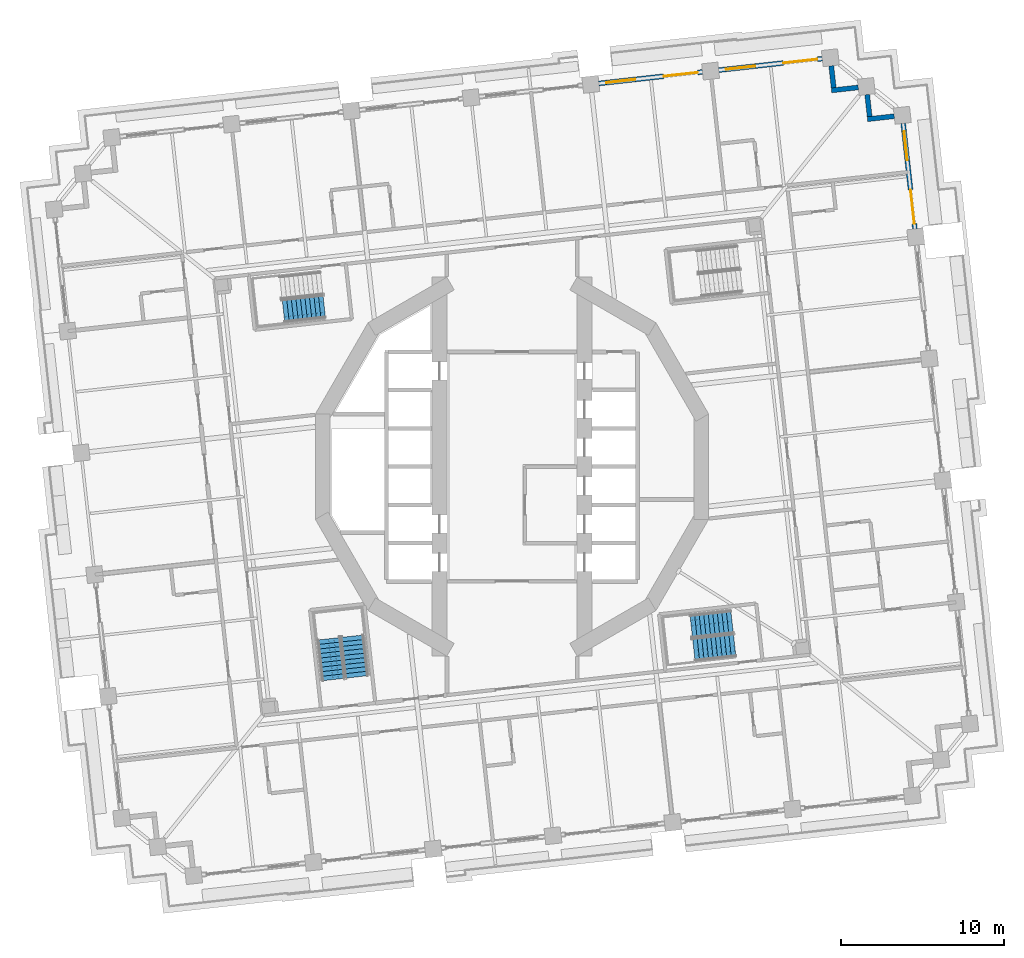
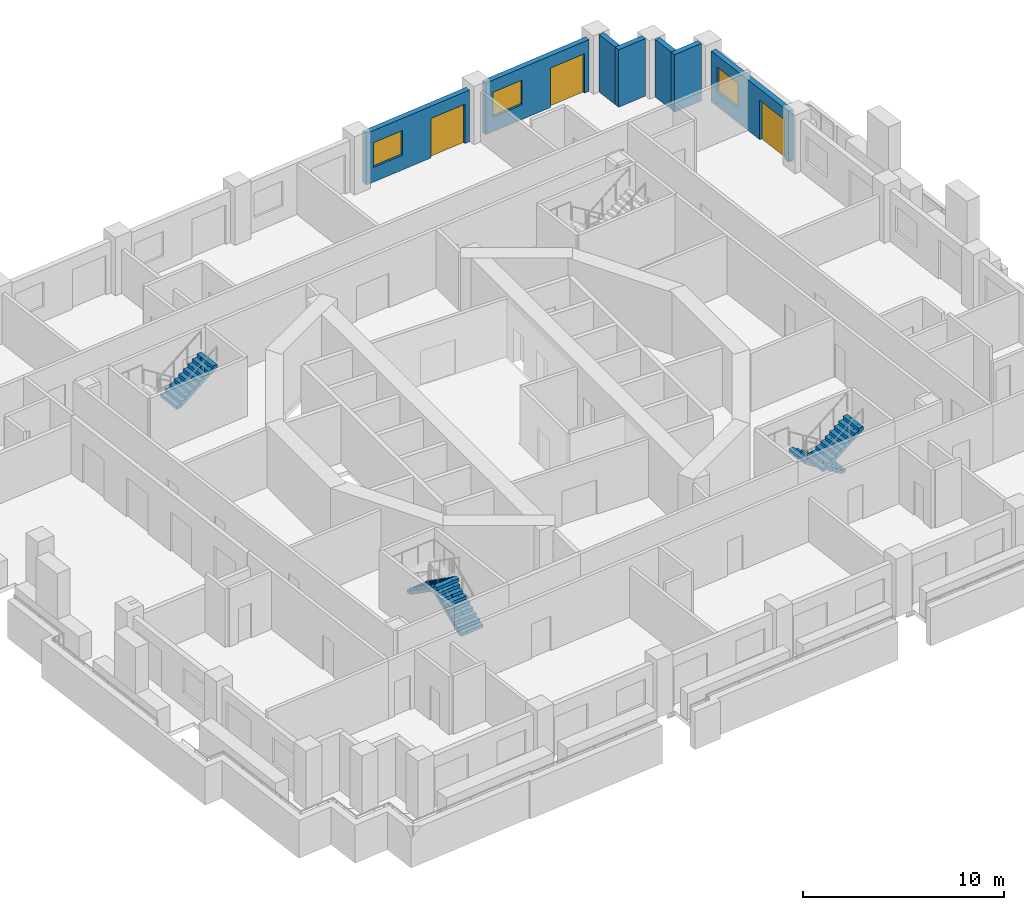
# One storey, part 10 of 19: 7 walls, 5 stair flights, 3 doors, 3 windows, 6 openings, 3 elements without a shape of their own.
"""IFC4 building model written with IfcOpenShell, lengths in metres."""

from ifc_helpers import new_model, si_unit, direction, frame, frame_2d, origin, place, context, subcontext, project, spatial, polyline, rectangle, outline, extrude, material, layer, layer_set, type_object, element, fill, aggregate, save


model = new_model("IFC4")

# Units and contexts
model_context = context("Model", 3, precision=1e-05, world=origin(), true_north=direction((0.0, 1.0)))
body_context = subcontext(model_context, "Body", "Model", "MODEL_VIEW")
ifc_project = project(units=[si_unit("LENGTHUNIT", "METRE"), si_unit("AREAUNIT", "SQUARE_METRE"), si_unit("VOLUMEUNIT", "CUBIC_METRE"), si_unit("PLANEANGLEUNIT", "RADIAN"), si_unit("MASSUNIT", "GRAM", prefix="KILO")], contexts=[model_context])

# Site, building, storey
site_placement = place(None, origin())
site = spatial("IfcSite", under=ifc_project, at=site_placement, CompositionType="ELEMENT")
building_placement = place(site_placement, origin())
building = spatial("IfcBuilding", under=site, at=building_placement, Name="Cantera Rosa Tower", CompositionType="ELEMENT")
storey_placement = place(building_placement, frame((0.0, 0.0, 65.300048828125)))
storey = spatial("IfcBuildingStorey", under=building, at=storey_placement, Name="L13", CompositionType="ELEMENT", Elevation=65.300048828125)

# Walls
ifc_material_1 = material(Name="Hollow clay masonry with cantera stone cladding", Category="masonry")
ifc_layer_1 = layer(ifc_material_1, 0.300048828125)
ifc_layer_set_1 = layer_set([ifc_layer_1], Name="EW-LOGGIA 300")
wall_type_1 = type_object("IfcWallType", Name="EW-LOGGIA 300", PredefinedType="SOLIDWALL", material=ifc_layer_set_1)
wall_1_placement = place(storey_placement, frame((23.46923828125, 21.520263671875, 0.0), z_axis=(0.0, 0.0, 1.0), x_axis=(-0.993905369514, -0.110236638423, 0.0)))
element("IfcWall", 1, at=wall_1_placement, inside=storey, type_object=wall_type_1, Name="EN-L13-W06a", PredefinedType="SOLIDWALL", context=body_context, shape_type="SweptSolid", body=[
    extrude(rectangle(XDim=1.64990234375, YDim=0.300048828125, at=frame_2d((0.824951171875, 0.0))), origin(), (0.0, 0.0, 1.0), 3.5),
])
wall_2_placement = place(storey_placement, frame((21.9619140625, 21.50390625, 0.0), z_axis=(0.0, 0.0, 1.0), x_axis=(-0.110312435488, 0.993896959738, 0.0)))
element("IfcWall", 2, at=wall_2_placement, inside=storey, type_object=wall_type_1, Name="EN-L13-W06b", PredefinedType="SOLIDWALL", context=body_context, shape_type="SweptSolid", body=[
    extrude(rectangle(XDim=1.35009765625, YDim=0.300048828125, at=frame_2d((0.675048828125, 0.0))), origin(), (0.0, 0.0, 1.0), 3.5),
])
wall_3_placement = place(storey_placement, frame((21.2607421875, 23.287353515625, 0.0), z_axis=(0.0, 0.0, 1.0), x_axis=(-0.993905369514, -0.110236638423, 0.0)))
element("IfcWall", 3, at=wall_3_placement, inside=storey, type_object=wall_type_1, Name="EN-L13-W07a", PredefinedType="SOLIDWALL", context=body_context, shape_type="SweptSolid", body=[
    extrude(rectangle(XDim=1.64990234375, YDim=0.300048828125, at=frame_2d((0.824951171875, 0.0))), origin(), (0.0, 0.0, 1.0), 3.5),
])
wall_4_placement = place(storey_placement, frame((19.75341796875, 23.27099609375, 0.0), z_axis=(0.0, 0.0, 1.0), x_axis=(-0.110312435488, 0.993896959738, 0.0)))
element("IfcWall", 4, at=wall_4_placement, inside=storey, type_object=wall_type_1, Name="EN-L13-W07b", PredefinedType="SOLIDWALL", context=body_context, shape_type="SweptSolid", body=[
    extrude(rectangle(XDim=1.35009765625, YDim=0.300048828125, at=frame_2d((0.675048828125, 0.0))), origin(), (0.0, 0.0, 1.0), 3.5),
])

# Wall, openings, window, door
ifc_material_2 = material(Name="Hollow clay masonry with cantera stone cladding", Category="masonry")
ifc_layer_2 = layer(ifc_material_2, 0.300048828125)
ifc_layer_set_2 = layer_set([ifc_layer_2], Name="EW-LOGGIA 300 H3090")
wall_type_2 = type_object("IfcWallType", Name="EW-LOGGIA 300 H3090", PredefinedType="SOLIDWALL", material=ifc_layer_set_2)
wall_5_placement = place(storey_placement, frame((24.74072265625, 14.598388671875, 0.0), z_axis=(0.0, 0.0, 1.0), x_axis=(-0.110312341265, 0.993896970196, 0.0)))
wall_5 = element("IfcWall", 5, at=wall_5_placement, inside=storey, type_object=wall_type_2, Name="EN-L13-W05", PredefinedType="SOLIDWALL", context=body_context, shape_type="SweptSolid", body=[
    extrude(rectangle(XDim=6.52001953125, YDim=0.300048828125, at=frame_2d((3.260009765625, 0.0))), origin(), (0.0, 0.0, 1.0), 3.08984375),
])
opening_1_placement = place(wall_5_placement, frame((0.330078125, 0.0, 0.0)))
opening_1 = element("IfcOpeningElement", 6, at=opening_1_placement, cuts=wall_5, Name="Opening L13-TD09", PredefinedType="OPENING", context=body_context, shape_type="SweptSolid", body=[
    extrude(rectangle(XDim=2.10009765625, YDim=2.39990234375, at=frame_2d((1.050048828125, 1.199951171875))), frame((0.0, 0.159912109375, 0.0), z_axis=(0.0, -1.0, 0.0), x_axis=(1.0, 0.0, 0.0)), (0.0, 0.0, 1.0), 0.320068359375),
])
opening_2_placement = place(wall_5_placement, frame((4.239990234375, 0.0, 0.89990234375)))
opening_2 = element("IfcOpeningElement", 7, at=opening_2_placement, cuts=wall_5, Name="Opening L13-W10", PredefinedType="OPENING", context=body_context, shape_type="SweptSolid", body=[
    extrude(rectangle(XDim=1.800048828125, YDim=1.5, at=frame_2d((0.89990234375, 0.75))), frame((0.0, 0.159912109375, 0.0), z_axis=(0.0, -1.0, 0.0), x_axis=(1.0, 0.0, 0.0)), (0.0, 0.0, 1.0), 0.320068359375),
])
ifc_material_3 = material(Name="Aluminium frame with clear glass", Category="aluminium")
window_type = type_object("IfcWindowType", Name="Hotel room window 1800x1500", PartitioningType="DOUBLE_PANEL_VERTICAL", PredefinedType="WINDOW", material=ifc_material_3)
window_1_placement = place(opening_2_placement, origin())
window_1 = element("IfcWindow", 8, at=window_1_placement, inside=storey, type_object=window_type, Name="WINDOW L13-W10", OverallHeight=1.5, OverallWidth=1.800048828125, PartitioningType="SINGLE_PANEL", PredefinedType="WINDOW", context=body_context, shape_type="SweptSolid", body=[
    extrude(rectangle(XDim=1.800048828125, YDim=1.5, at=frame_2d((0.89990234375, 0.75))), frame((0.0, 0.030029296875, 0.0), z_axis=(0.0, -1.0, 0.0), x_axis=(1.0, 0.0, 0.0)), (0.0, 0.0, 1.0), 0.06005859375),
])
fill(opening_2, window_1)
ifc_material_4 = material(Name="Aluminium frame with clear glass", Category="aluminium")
door_type = type_object("IfcDoorType", Name="TD-H 2100x2400", OperationType="NOTDEFINED", PredefinedType="DOOR", material=ifc_material_4)
door_1_placement = place(opening_1_placement, origin())
door_1 = element("IfcDoor", 9, at=door_1_placement, inside=storey, type_object=door_type, Name="LOGGIA DOOR L13-TD09", OperationType="SLIDING_TO_LEFT", OverallHeight=2.39990234375, OverallWidth=2.10009765625, PredefinedType="DOOR", context=body_context, shape_type="SweptSolid", body=[
    extrude(rectangle(XDim=2.10009765625, YDim=2.39990234375, at=frame_2d((1.050048828125, 1.199951171875))), frame((0.0, 0.02490234375, 0.0), z_axis=(0.0, -1.0, 0.0), x_axis=(1.0, 0.0, 0.0)), (0.0, 0.0, 1.0), 0.050048828125),
])
fill(opening_1, door_1)

ifc_material_5 = material(Name="Hollow clay masonry with cantera stone cladding", Category="masonry")
ifc_layer_3 = layer(ifc_material_5, 0.300048828125)
ifc_layer_set_3 = layer_set([ifc_layer_3], Name="EW-LOGGIA 300 H3140")
wall_type_3 = type_object("IfcWallType", Name="EW-LOGGIA 300 H3140", PredefinedType="SOLIDWALL", material=ifc_layer_set_3)
wall_6_placement = place(storey_placement, frame((19.052490234375, 25.0546875, 0.0), z_axis=(0.0, 0.0, 1.0), x_axis=(-0.993896288542, -0.110318482689, 0.0)))
wall_6 = element("IfcWall", 10, at=wall_6_placement, inside=storey, type_object=wall_type_3, Name="EN-L13-W08", PredefinedType="SOLIDWALL", context=body_context, shape_type="SweptSolid", body=[
    extrude(rectangle(XDim=6.400146484375, YDim=0.300048828125, at=frame_2d((3.2001953125, 0.0))), origin(), (0.0, 0.0, 1.0), 3.139892578125),
])
opening_3_placement = place(wall_6_placement, frame((0.300048828125, 0.0, 0.0)))
opening_3 = element("IfcOpeningElement", 11, at=opening_3_placement, cuts=wall_6, Name="Opening L13-TD11", PredefinedType="OPENING", context=body_context, shape_type="SweptSolid", body=[
    extrude(rectangle(XDim=2.10009765625, YDim=2.39990234375, at=frame_2d((1.050048828125, 1.199951171875))), frame((0.0, 0.159912109375, 0.0), z_axis=(0.0, -1.0, 0.0), x_axis=(1.0, 0.0, 0.0)), (0.0, 0.0, 1.0), 0.320068359375),
])
opening_4_placement = place(wall_6_placement, frame((4.14990234375, 0.0, 0.89990234375)))
opening_4 = element("IfcOpeningElement", 12, at=opening_4_placement, cuts=wall_6, Name="Opening L13-W12", PredefinedType="OPENING", context=body_context, shape_type="SweptSolid", body=[
    extrude(rectangle(XDim=1.800048828125, YDim=1.5, at=frame_2d((0.89990234375, 0.75))), frame((0.0, 0.159912109375, 0.0), z_axis=(0.0, -1.0, 0.0), x_axis=(1.0, 0.0, 0.0)), (0.0, 0.0, 1.0), 0.320068359375),
])
window_2_placement = place(opening_4_placement, origin())
window_2 = element("IfcWindow", 13, at=window_2_placement, inside=storey, type_object=window_type, Name="WINDOW L13-W12", OverallHeight=1.5, OverallWidth=1.800048828125, PartitioningType="SINGLE_PANEL", PredefinedType="WINDOW", context=body_context, shape_type="SweptSolid", body=[
    extrude(rectangle(XDim=1.800048828125, YDim=1.5, at=frame_2d((0.89990234375, 0.75))), frame((0.0, 0.030029296875, 0.0), z_axis=(0.0, -1.0, 0.0), x_axis=(1.0, 0.0, 0.0)), (0.0, 0.0, 1.0), 0.06005859375),
])
fill(opening_4, window_2)
door_2_placement = place(opening_3_placement, origin())
door_2 = element("IfcDoor", 14, at=door_2_placement, inside=storey, type_object=door_type, Name="LOGGIA DOOR L13-TD11", OperationType="SLIDING_TO_LEFT", OverallHeight=2.39990234375, OverallWidth=2.10009765625, PredefinedType="DOOR", context=body_context, shape_type="SweptSolid", body=[
    extrude(rectangle(XDim=2.10009765625, YDim=2.39990234375, at=frame_2d((1.050048828125, 1.199951171875))), frame((0.0, 0.02490234375, 0.0), z_axis=(0.0, -1.0, 0.0), x_axis=(1.0, 0.0, 0.0)), (0.0, 0.0, 1.0), 0.050048828125),
])
fill(opening_3, door_2)

wall_7_placement = place(storey_placement, frame((11.697509765625, 24.23828125, 0.0), z_axis=(0.0, 0.0, 1.0), x_axis=(-0.993895824271, -0.110322665379, 0.0)))
wall_7 = element("IfcWall", 15, at=wall_7_placement, inside=storey, type_object=wall_type_3, Name="EN-L13-W09", PredefinedType="SOLIDWALL", context=body_context, shape_type="SweptSolid", body=[
    extrude(rectangle(XDim=6.39990234375, YDim=0.300048828125, at=frame_2d((3.199951171875, 0.0))), origin(), (0.0, 0.0, 1.0), 3.139892578125),
])
opening_5_placement = place(wall_7_placement, frame((0.300048828125, 0.0, 0.0)))
opening_5 = element("IfcOpeningElement", 16, at=opening_5_placement, cuts=wall_7, Name="Opening L13-TD13", PredefinedType="OPENING", context=body_context, shape_type="SweptSolid", body=[
    extrude(rectangle(XDim=2.10009765625, YDim=2.39990234375, at=frame_2d((1.050048828125, 1.199951171875))), frame((0.0, 0.159912109375, 0.0), z_axis=(0.0, -1.0, 0.0), x_axis=(1.0, 0.0, 0.0)), (0.0, 0.0, 1.0), 0.320068359375),
])
opening_6_placement = place(wall_7_placement, frame((4.14990234375, 0.0, 0.89990234375)))
opening_6 = element("IfcOpeningElement", 17, at=opening_6_placement, cuts=wall_7, Name="Opening L13-W14", PredefinedType="OPENING", context=body_context, shape_type="SweptSolid", body=[
    extrude(rectangle(XDim=1.800048828125, YDim=1.5, at=frame_2d((0.89990234375, 0.75))), frame((0.0, 0.159912109375, 0.0), z_axis=(0.0, -1.0, 0.0), x_axis=(1.0, 0.0, 0.0)), (0.0, 0.0, 1.0), 0.320068359375),
])
window_3_placement = place(opening_6_placement, origin())
window_3 = element("IfcWindow", 18, at=window_3_placement, inside=storey, type_object=window_type, Name="WINDOW L13-W14", OverallHeight=1.5, OverallWidth=1.800048828125, PartitioningType="SINGLE_PANEL", PredefinedType="WINDOW", context=body_context, shape_type="SweptSolid", body=[
    extrude(rectangle(XDim=1.800048828125, YDim=1.5, at=frame_2d((0.89990234375, 0.75))), frame((0.0, 0.030029296875, 0.0), z_axis=(0.0, -1.0, 0.0), x_axis=(1.0, 0.0, 0.0)), (0.0, 0.0, 1.0), 0.06005859375),
])
fill(opening_6, window_3)
door_3_placement = place(opening_5_placement, origin())
door_3 = element("IfcDoor", 19, at=door_3_placement, inside=storey, type_object=door_type, Name="LOGGIA DOOR L13-TD13", OperationType="SLIDING_TO_LEFT", OverallHeight=2.39990234375, OverallWidth=2.10009765625, PredefinedType="DOOR", context=body_context, shape_type="SweptSolid", body=[
    extrude(rectangle(XDim=2.10009765625, YDim=2.39990234375, at=frame_2d((1.050048828125, 1.199951171875))), frame((0.0, 0.02490234375, 0.0), z_axis=(0.0, -1.0, 0.0), x_axis=(1.0, 0.0, 0.0)), (0.0, 0.0, 1.0), 0.050048828125),
])
fill(opening_5, door_3)

# Stair, stair flight
ifc_material_6 = material(Name="Concrete C35/45", Category="concrete")
stair_type = type_object("IfcStairType", Name="EXIT STAIR 1350 DOGLEG", PredefinedType="HALF_TURN_STAIR", material=ifc_material_6)
stair_1_placement = place(storey_placement, origin())
stair_1 = element("IfcStair", 20, at=stair_1_placement, inside=storey, type_object=stair_type, Name="L13 ST-12", PredefinedType="HALF_TURN_STAIR")
ifc_material_7 = material(Name="Concrete C35/45", Category="concrete")
stair_flight_type = type_object("IfcStairFlightType", Name="STAIR FLIGHT 1350 R20x190", PredefinedType="STRAIGHT", material=ifc_material_7)
stair_flight_1_placement = place(storey_placement, frame((-14.030517578125, 9.531005859375, 1.89990234375), z_axis=(0.0, 0.0, 1.0), x_axis=(0.993896947056, 0.110312549749, 0.0)))
stair_flight_1 = element("IfcStairFlight", 21, at=stair_flight_1_placement, type_object=stair_flight_type, Name="ST-12 flight 2", NumberOfRisers=10, NumberOfTreads=9, PredefinedType="STRAIGHT", RiserHeight=0.19, TreadLength=0.28, context=body_context, shape_type="SweptSolid", body=[
    extrude(outline(polyline([(0.0, 0.0), (0.0, 0.18994140625), (0.280029296875, 0.18994140625), (0.280029296875, 0.3798828125), (0.56005859375, 0.3798828125), (0.56005859375, 0.570068359375), (0.840087890625, 0.570068359375), (0.840087890625, 0.760009765625), (1.1201171875, 0.760009765625), (1.1201171875, 0.949951171875), (1.39990234375, 0.949951171875), (1.39990234375, 1.139892578125), (1.679931640625, 1.139892578125), (1.679931640625, 1.330078125), (1.9599609375, 1.330078125), (1.9599609375, 1.52001953125), (2.239990234375, 1.52001953125), (2.239990234375, 1.7099609375), (2.52001953125, 1.7099609375), (2.52001953125, 1.89990234375), (2.52001953125, 1.52880859375), (0.266845703125, 0.0), (0.0, 0.0)])), frame((0.0, 0.675048828125, 0.0), z_axis=(0.0, -1.0, 0.0), x_axis=(1.0, 0.0, 0.0)), (0.0, 0.0, 1.0), 0.3359375),
    extrude(outline(polyline([(0.0, 0.0), (0.0, 0.18994140625), (0.280029296875, 0.18994140625), (0.280029296875, 0.3798828125), (0.56005859375, 0.3798828125), (0.56005859375, 0.570068359375), (0.840087890625, 0.570068359375), (0.840087890625, 0.760009765625), (1.1201171875, 0.760009765625), (1.1201171875, 0.949951171875), (1.39990234375, 0.949951171875), (1.39990234375, 1.139892578125), (1.679931640625, 1.139892578125), (1.679931640625, 1.330078125), (1.9599609375, 1.330078125), (1.9599609375, 1.52001953125), (2.239990234375, 1.52001953125), (2.239990234375, 1.7099609375), (2.52001953125, 1.7099609375), (2.52001953125, 1.89990234375), (2.52001953125, 1.52880859375), (0.266845703125, 0.0), (0.0, 0.0)])), frame((0.0, 0.337158203125, 0.0), z_axis=(0.0, -1.0, 0.0), x_axis=(1.0, 0.0, 0.0)), (0.0, 0.0, 1.0), 0.3359375),
    extrude(outline(polyline([(0.0, 0.0), (0.0, 0.18994140625), (0.280029296875, 0.18994140625), (0.280029296875, 0.3798828125), (0.56005859375, 0.3798828125), (0.56005859375, 0.570068359375), (0.840087890625, 0.570068359375), (0.840087890625, 0.760009765625), (1.1201171875, 0.760009765625), (1.1201171875, 0.949951171875), (1.39990234375, 0.949951171875), (1.39990234375, 1.139892578125), (1.679931640625, 1.139892578125), (1.679931640625, 1.330078125), (1.9599609375, 1.330078125), (1.9599609375, 1.52001953125), (2.239990234375, 1.52001953125), (2.239990234375, 1.7099609375), (2.52001953125, 1.7099609375), (2.52001953125, 1.89990234375), (2.52001953125, 1.52880859375), (0.266845703125, 0.0), (0.0, 0.0)])), frame((0.0, -0.000732421875, 0.0), z_axis=(0.0, -1.0, 0.0), x_axis=(1.0, 0.0, 0.0)), (0.0, 0.0, 1.0), 0.3359375),
    extrude(outline(polyline([(0.0, 0.0), (0.0, 0.18994140625), (0.280029296875, 0.18994140625), (0.280029296875, 0.3798828125), (0.56005859375, 0.3798828125), (0.56005859375, 0.570068359375), (0.840087890625, 0.570068359375), (0.840087890625, 0.760009765625), (1.1201171875, 0.760009765625), (1.1201171875, 0.949951171875), (1.39990234375, 0.949951171875), (1.39990234375, 1.139892578125), (1.679931640625, 1.139892578125), (1.679931640625, 1.330078125), (1.9599609375, 1.330078125), (1.9599609375, 1.52001953125), (2.239990234375, 1.52001953125), (2.239990234375, 1.7099609375), (2.52001953125, 1.7099609375), (2.52001953125, 1.89990234375), (2.52001953125, 1.52880859375), (0.266845703125, 0.0), (0.0, 0.0)])), frame((0.0, -0.338623046875, 0.0), z_axis=(0.0, -1.0, 0.0), x_axis=(1.0, 0.0, 0.0)), (0.0, 0.0, 1.0), 0.3359375),
])
aggregate(stair_1, [stair_flight_1])

# Stair, stair flights
stair_2_placement = place(storey_placement, origin())
stair_2 = element("IfcStair", 22, at=stair_2_placement, inside=storey, type_object=stair_type, Name="L13 ST-13", PredefinedType="HALF_TURN_STAIR")
stair_flight_2_placement = place(storey_placement, frame((-9.500244140625, -12.90869140625, 0.0), z_axis=(0.0, 0.0, 1.0), x_axis=(-0.110312549749, 0.993896947056, 0.0)))
stair_flight_2 = element("IfcStairFlight", 23, at=stair_flight_2_placement, type_object=stair_flight_type, Name="ST-13 flight 1", NumberOfRisers=10, NumberOfTreads=9, PredefinedType="STRAIGHT", RiserHeight=0.19, TreadLength=0.28, context=body_context, shape_type="SweptSolid", body=[
    extrude(outline(polyline([(0.0, 0.0), (0.0, 0.18994140625), (0.280029296875, 0.18994140625), (0.280029296875, 0.3798828125), (0.56005859375, 0.3798828125), (0.56005859375, 0.570068359375), (0.840087890625, 0.570068359375), (0.840087890625, 0.760009765625), (1.1201171875, 0.760009765625), (1.1201171875, 0.949951171875), (1.39990234375, 0.949951171875), (1.39990234375, 1.139892578125), (1.679931640625, 1.139892578125), (1.679931640625, 1.330078125), (1.9599609375, 1.330078125), (1.9599609375, 1.52001953125), (2.239990234375, 1.52001953125), (2.239990234375, 1.7099609375), (2.52001953125, 1.7099609375), (2.52001953125, 1.89990234375), (2.52001953125, 1.52880859375), (0.266845703125, 0.0), (0.0, 0.0)])), frame((0.0, 0.675048828125, 0.0), z_axis=(0.0, -1.0, 0.0), x_axis=(1.0, 0.0, 0.0)), (0.0, 0.0, 1.0), 0.3359375),
    extrude(outline(polyline([(0.0, 0.0), (0.0, 0.18994140625), (0.280029296875, 0.18994140625), (0.280029296875, 0.3798828125), (0.56005859375, 0.3798828125), (0.56005859375, 0.570068359375), (0.840087890625, 0.570068359375), (0.840087890625, 0.760009765625), (1.1201171875, 0.760009765625), (1.1201171875, 0.949951171875), (1.39990234375, 0.949951171875), (1.39990234375, 1.139892578125), (1.679931640625, 1.139892578125), (1.679931640625, 1.330078125), (1.9599609375, 1.330078125), (1.9599609375, 1.52001953125), (2.239990234375, 1.52001953125), (2.239990234375, 1.7099609375), (2.52001953125, 1.7099609375), (2.52001953125, 1.89990234375), (2.52001953125, 1.52880859375), (0.266845703125, 0.0), (0.0, 0.0)])), frame((0.0, 0.337158203125, 0.0), z_axis=(0.0, -1.0, 0.0), x_axis=(1.0, 0.0, 0.0)), (0.0, 0.0, 1.0), 0.3359375),
    extrude(outline(polyline([(0.0, 0.0), (0.0, 0.18994140625), (0.280029296875, 0.18994140625), (0.280029296875, 0.3798828125), (0.56005859375, 0.3798828125), (0.56005859375, 0.570068359375), (0.840087890625, 0.570068359375), (0.840087890625, 0.760009765625), (1.1201171875, 0.760009765625), (1.1201171875, 0.949951171875), (1.39990234375, 0.949951171875), (1.39990234375, 1.139892578125), (1.679931640625, 1.139892578125), (1.679931640625, 1.330078125), (1.9599609375, 1.330078125), (1.9599609375, 1.52001953125), (2.239990234375, 1.52001953125), (2.239990234375, 1.7099609375), (2.52001953125, 1.7099609375), (2.52001953125, 1.89990234375), (2.52001953125, 1.52880859375), (0.266845703125, 0.0), (0.0, 0.0)])), frame((0.0, -0.000732421875, 0.0), z_axis=(0.0, -1.0, 0.0), x_axis=(1.0, 0.0, 0.0)), (0.0, 0.0, 1.0), 0.3359375),
    extrude(outline(polyline([(0.0, 0.0), (0.0, 0.18994140625), (0.280029296875, 0.18994140625), (0.280029296875, 0.3798828125), (0.56005859375, 0.3798828125), (0.56005859375, 0.570068359375), (0.840087890625, 0.570068359375), (0.840087890625, 0.760009765625), (1.1201171875, 0.760009765625), (1.1201171875, 0.949951171875), (1.39990234375, 0.949951171875), (1.39990234375, 1.139892578125), (1.679931640625, 1.139892578125), (1.679931640625, 1.330078125), (1.9599609375, 1.330078125), (1.9599609375, 1.52001953125), (2.239990234375, 1.52001953125), (2.239990234375, 1.7099609375), (2.52001953125, 1.7099609375), (2.52001953125, 1.89990234375), (2.52001953125, 1.52880859375), (0.266845703125, 0.0), (0.0, 0.0)])), frame((0.0, -0.338623046875, 0.0), z_axis=(0.0, -1.0, 0.0), x_axis=(1.0, 0.0, 0.0)), (0.0, 0.0, 1.0), 0.3359375),
])
stair_flight_3_placement = place(storey_placement, frame((-11.26904296875, -10.569580078125, 1.89990234375), z_axis=(0.0, 0.0, 1.0), x_axis=(0.110312549749, -0.993896947056, 0.0)))
stair_flight_3 = element("IfcStairFlight", 24, at=stair_flight_3_placement, type_object=stair_flight_type, Name="ST-13 flight 2", NumberOfRisers=10, NumberOfTreads=9, PredefinedType="STRAIGHT", RiserHeight=0.19, TreadLength=0.28, context=body_context, shape_type="SweptSolid", body=[
    extrude(outline(polyline([(0.0, 0.0), (0.0, 0.18994140625), (0.280029296875, 0.18994140625), (0.280029296875, 0.3798828125), (0.56005859375, 0.3798828125), (0.56005859375, 0.570068359375), (0.840087890625, 0.570068359375), (0.840087890625, 0.760009765625), (1.1201171875, 0.760009765625), (1.1201171875, 0.949951171875), (1.39990234375, 0.949951171875), (1.39990234375, 1.139892578125), (1.679931640625, 1.139892578125), (1.679931640625, 1.330078125), (1.9599609375, 1.330078125), (1.9599609375, 1.52001953125), (2.239990234375, 1.52001953125), (2.239990234375, 1.7099609375), (2.52001953125, 1.7099609375), (2.52001953125, 1.89990234375), (2.52001953125, 1.52880859375), (0.266845703125, 0.0), (0.0, 0.0)])), frame((0.0, 0.675048828125, 0.0), z_axis=(0.0, -1.0, 0.0), x_axis=(1.0, 0.0, 0.0)), (0.0, 0.0, 1.0), 0.3359375),
    extrude(outline(polyline([(0.0, 0.0), (0.0, 0.18994140625), (0.280029296875, 0.18994140625), (0.280029296875, 0.3798828125), (0.56005859375, 0.3798828125), (0.56005859375, 0.570068359375), (0.840087890625, 0.570068359375), (0.840087890625, 0.760009765625), (1.1201171875, 0.760009765625), (1.1201171875, 0.949951171875), (1.39990234375, 0.949951171875), (1.39990234375, 1.139892578125), (1.679931640625, 1.139892578125), (1.679931640625, 1.330078125), (1.9599609375, 1.330078125), (1.9599609375, 1.52001953125), (2.239990234375, 1.52001953125), (2.239990234375, 1.7099609375), (2.52001953125, 1.7099609375), (2.52001953125, 1.89990234375), (2.52001953125, 1.52880859375), (0.266845703125, 0.0), (0.0, 0.0)])), frame((0.0, 0.337158203125, 0.0), z_axis=(0.0, -1.0, 0.0), x_axis=(1.0, 0.0, 0.0)), (0.0, 0.0, 1.0), 0.3359375),
    extrude(outline(polyline([(0.0, 0.0), (0.0, 0.18994140625), (0.280029296875, 0.18994140625), (0.280029296875, 0.3798828125), (0.56005859375, 0.3798828125), (0.56005859375, 0.570068359375), (0.840087890625, 0.570068359375), (0.840087890625, 0.760009765625), (1.1201171875, 0.760009765625), (1.1201171875, 0.949951171875), (1.39990234375, 0.949951171875), (1.39990234375, 1.139892578125), (1.679931640625, 1.139892578125), (1.679931640625, 1.330078125), (1.9599609375, 1.330078125), (1.9599609375, 1.52001953125), (2.239990234375, 1.52001953125), (2.239990234375, 1.7099609375), (2.52001953125, 1.7099609375), (2.52001953125, 1.89990234375), (2.52001953125, 1.52880859375), (0.266845703125, 0.0), (0.0, 0.0)])), frame((0.0, -0.000732421875, 0.0), z_axis=(0.0, -1.0, 0.0), x_axis=(1.0, 0.0, 0.0)), (0.0, 0.0, 1.0), 0.3359375),
    extrude(outline(polyline([(0.0, 0.0), (0.0, 0.18994140625), (0.280029296875, 0.18994140625), (0.280029296875, 0.3798828125), (0.56005859375, 0.3798828125), (0.56005859375, 0.570068359375), (0.840087890625, 0.570068359375), (0.840087890625, 0.760009765625), (1.1201171875, 0.760009765625), (1.1201171875, 0.949951171875), (1.39990234375, 0.949951171875), (1.39990234375, 1.139892578125), (1.679931640625, 1.139892578125), (1.679931640625, 1.330078125), (1.9599609375, 1.330078125), (1.9599609375, 1.52001953125), (2.239990234375, 1.52001953125), (2.239990234375, 1.7099609375), (2.52001953125, 1.7099609375), (2.52001953125, 1.89990234375), (2.52001953125, 1.52880859375), (0.266845703125, 0.0), (0.0, 0.0)])), frame((0.0, -0.338623046875, 0.0), z_axis=(0.0, -1.0, 0.0), x_axis=(1.0, 0.0, 0.0)), (0.0, 0.0, 1.0), 0.3359375),
])
aggregate(stair_2, [stair_flight_2, stair_flight_3])

stair_3_placement = place(storey_placement, origin())
stair_3 = element("IfcStair", 25, at=stair_3_placement, inside=storey, type_object=stair_type, Name="L13 ST-14", PredefinedType="HALF_TURN_STAIR")
stair_flight_4_placement = place(storey_placement, frame((13.5087890625, -9.500244140625, 0.0), z_axis=(0.0, 0.0, 1.0), x_axis=(-0.993896947056, -0.110312549749, 0.0)))
stair_flight_4 = element("IfcStairFlight", 26, at=stair_flight_4_placement, type_object=stair_flight_type, Name="ST-14 flight 1", NumberOfRisers=10, NumberOfTreads=9, PredefinedType="STRAIGHT", RiserHeight=0.19, TreadLength=0.28, context=body_context, shape_type="SweptSolid", body=[
    extrude(outline(polyline([(0.0, 0.0), (0.0, 0.18994140625), (0.280029296875, 0.18994140625), (0.280029296875, 0.3798828125), (0.56005859375, 0.3798828125), (0.56005859375, 0.570068359375), (0.840087890625, 0.570068359375), (0.840087890625, 0.760009765625), (1.1201171875, 0.760009765625), (1.1201171875, 0.949951171875), (1.39990234375, 0.949951171875), (1.39990234375, 1.139892578125), (1.679931640625, 1.139892578125), (1.679931640625, 1.330078125), (1.9599609375, 1.330078125), (1.9599609375, 1.52001953125), (2.239990234375, 1.52001953125), (2.239990234375, 1.7099609375), (2.52001953125, 1.7099609375), (2.52001953125, 1.89990234375), (2.52001953125, 1.52880859375), (0.266845703125, 0.0), (0.0, 0.0)])), frame((0.0, 0.675048828125, 0.0), z_axis=(0.0, -1.0, 0.0), x_axis=(1.0, 0.0, 0.0)), (0.0, 0.0, 1.0), 0.3359375),
    extrude(outline(polyline([(0.0, 0.0), (0.0, 0.18994140625), (0.280029296875, 0.18994140625), (0.280029296875, 0.3798828125), (0.56005859375, 0.3798828125), (0.56005859375, 0.570068359375), (0.840087890625, 0.570068359375), (0.840087890625, 0.760009765625), (1.1201171875, 0.760009765625), (1.1201171875, 0.949951171875), (1.39990234375, 0.949951171875), (1.39990234375, 1.139892578125), (1.679931640625, 1.139892578125), (1.679931640625, 1.330078125), (1.9599609375, 1.330078125), (1.9599609375, 1.52001953125), (2.239990234375, 1.52001953125), (2.239990234375, 1.7099609375), (2.52001953125, 1.7099609375), (2.52001953125, 1.89990234375), (2.52001953125, 1.52880859375), (0.266845703125, 0.0), (0.0, 0.0)])), frame((0.0, 0.337158203125, 0.0), z_axis=(0.0, -1.0, 0.0), x_axis=(1.0, 0.0, 0.0)), (0.0, 0.0, 1.0), 0.3359375),
    extrude(outline(polyline([(0.0, 0.0), (0.0, 0.18994140625), (0.280029296875, 0.18994140625), (0.280029296875, 0.3798828125), (0.56005859375, 0.3798828125), (0.56005859375, 0.570068359375), (0.840087890625, 0.570068359375), (0.840087890625, 0.760009765625), (1.1201171875, 0.760009765625), (1.1201171875, 0.949951171875), (1.39990234375, 0.949951171875), (1.39990234375, 1.139892578125), (1.679931640625, 1.139892578125), (1.679931640625, 1.330078125), (1.9599609375, 1.330078125), (1.9599609375, 1.52001953125), (2.239990234375, 1.52001953125), (2.239990234375, 1.7099609375), (2.52001953125, 1.7099609375), (2.52001953125, 1.89990234375), (2.52001953125, 1.52880859375), (0.266845703125, 0.0), (0.0, 0.0)])), frame((0.0, -0.000732421875, 0.0), z_axis=(0.0, -1.0, 0.0), x_axis=(1.0, 0.0, 0.0)), (0.0, 0.0, 1.0), 0.3359375),
    extrude(outline(polyline([(0.0, 0.0), (0.0, 0.18994140625), (0.280029296875, 0.18994140625), (0.280029296875, 0.3798828125), (0.56005859375, 0.3798828125), (0.56005859375, 0.570068359375), (0.840087890625, 0.570068359375), (0.840087890625, 0.760009765625), (1.1201171875, 0.760009765625), (1.1201171875, 0.949951171875), (1.39990234375, 0.949951171875), (1.39990234375, 1.139892578125), (1.679931640625, 1.139892578125), (1.679931640625, 1.330078125), (1.9599609375, 1.330078125), (1.9599609375, 1.52001953125), (2.239990234375, 1.52001953125), (2.239990234375, 1.7099609375), (2.52001953125, 1.7099609375), (2.52001953125, 1.89990234375), (2.52001953125, 1.52880859375), (0.266845703125, 0.0), (0.0, 0.0)])), frame((0.0, -0.338623046875, 0.0), z_axis=(0.0, -1.0, 0.0), x_axis=(1.0, 0.0, 0.0)), (0.0, 0.0, 1.0), 0.3359375),
])
stair_flight_5_placement = place(storey_placement, frame((11.169677734375, -11.26904296875, 1.89990234375), z_axis=(0.0, 0.0, 1.0), x_axis=(0.993896947056, 0.110312549749, 0.0)))
stair_flight_5 = element("IfcStairFlight", 27, at=stair_flight_5_placement, type_object=stair_flight_type, Name="ST-14 flight 2", NumberOfRisers=10, NumberOfTreads=9, PredefinedType="STRAIGHT", RiserHeight=0.19, TreadLength=0.28, context=body_context, shape_type="SweptSolid", body=[
    extrude(outline(polyline([(0.0, 0.0), (0.0, 0.18994140625), (0.280029296875, 0.18994140625), (0.280029296875, 0.3798828125), (0.56005859375, 0.3798828125), (0.56005859375, 0.570068359375), (0.840087890625, 0.570068359375), (0.840087890625, 0.760009765625), (1.1201171875, 0.760009765625), (1.1201171875, 0.949951171875), (1.39990234375, 0.949951171875), (1.39990234375, 1.139892578125), (1.679931640625, 1.139892578125), (1.679931640625, 1.330078125), (1.9599609375, 1.330078125), (1.9599609375, 1.52001953125), (2.239990234375, 1.52001953125), (2.239990234375, 1.7099609375), (2.52001953125, 1.7099609375), (2.52001953125, 1.89990234375), (2.52001953125, 1.52880859375), (0.266845703125, 0.0), (0.0, 0.0)])), frame((0.0, 0.675048828125, 0.0), z_axis=(0.0, -1.0, 0.0), x_axis=(1.0, 0.0, 0.0)), (0.0, 0.0, 1.0), 0.3359375),
    extrude(outline(polyline([(0.0, 0.0), (0.0, 0.18994140625), (0.280029296875, 0.18994140625), (0.280029296875, 0.3798828125), (0.56005859375, 0.3798828125), (0.56005859375, 0.570068359375), (0.840087890625, 0.570068359375), (0.840087890625, 0.760009765625), (1.1201171875, 0.760009765625), (1.1201171875, 0.949951171875), (1.39990234375, 0.949951171875), (1.39990234375, 1.139892578125), (1.679931640625, 1.139892578125), (1.679931640625, 1.330078125), (1.9599609375, 1.330078125), (1.9599609375, 1.52001953125), (2.239990234375, 1.52001953125), (2.239990234375, 1.7099609375), (2.52001953125, 1.7099609375), (2.52001953125, 1.89990234375), (2.52001953125, 1.52880859375), (0.266845703125, 0.0), (0.0, 0.0)])), frame((0.0, 0.337158203125, 0.0), z_axis=(0.0, -1.0, 0.0), x_axis=(1.0, 0.0, 0.0)), (0.0, 0.0, 1.0), 0.3359375),
    extrude(outline(polyline([(0.0, 0.0), (0.0, 0.18994140625), (0.280029296875, 0.18994140625), (0.280029296875, 0.3798828125), (0.56005859375, 0.3798828125), (0.56005859375, 0.570068359375), (0.840087890625, 0.570068359375), (0.840087890625, 0.760009765625), (1.1201171875, 0.760009765625), (1.1201171875, 0.949951171875), (1.39990234375, 0.949951171875), (1.39990234375, 1.139892578125), (1.679931640625, 1.139892578125), (1.679931640625, 1.330078125), (1.9599609375, 1.330078125), (1.9599609375, 1.52001953125), (2.239990234375, 1.52001953125), (2.239990234375, 1.7099609375), (2.52001953125, 1.7099609375), (2.52001953125, 1.89990234375), (2.52001953125, 1.52880859375), (0.266845703125, 0.0), (0.0, 0.0)])), frame((0.0, -0.000732421875, 0.0), z_axis=(0.0, -1.0, 0.0), x_axis=(1.0, 0.0, 0.0)), (0.0, 0.0, 1.0), 0.3359375),
    extrude(outline(polyline([(0.0, 0.0), (0.0, 0.18994140625), (0.280029296875, 0.18994140625), (0.280029296875, 0.3798828125), (0.56005859375, 0.3798828125), (0.56005859375, 0.570068359375), (0.840087890625, 0.570068359375), (0.840087890625, 0.760009765625), (1.1201171875, 0.760009765625), (1.1201171875, 0.949951171875), (1.39990234375, 0.949951171875), (1.39990234375, 1.139892578125), (1.679931640625, 1.139892578125), (1.679931640625, 1.330078125), (1.9599609375, 1.330078125), (1.9599609375, 1.52001953125), (2.239990234375, 1.52001953125), (2.239990234375, 1.7099609375), (2.52001953125, 1.7099609375), (2.52001953125, 1.89990234375), (2.52001953125, 1.52880859375), (0.266845703125, 0.0), (0.0, 0.0)])), frame((0.0, -0.338623046875, 0.0), z_axis=(0.0, -1.0, 0.0), x_axis=(1.0, 0.0, 0.0)), (0.0, 0.0, 1.0), 0.3359375),
])
aggregate(stair_3, [stair_flight_4, stair_flight_5])

save(model, "model.ifc")
